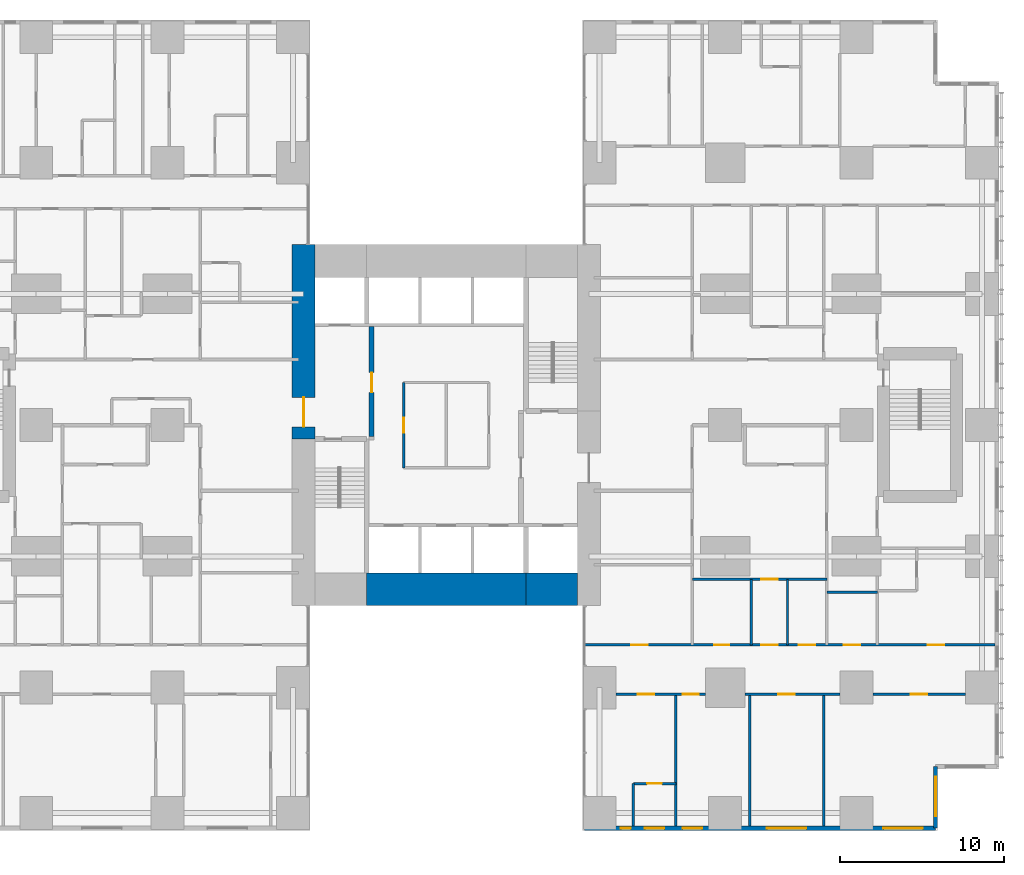
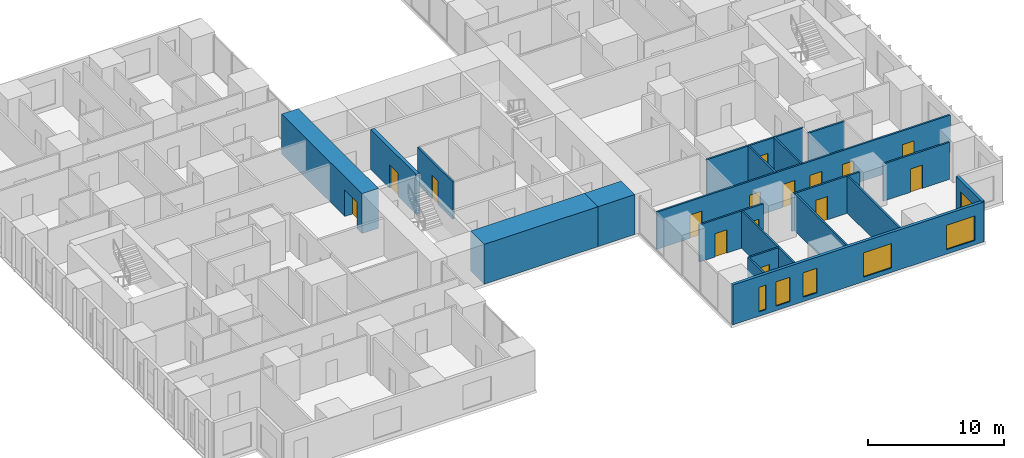
# One storey, part 14 of 20: 20 walls, 15 doors, 6 windows, 21 openings.
"""IFC4 building model written with IfcOpenShell, lengths in metres."""

from ifc_helpers import new_model, si_unit, direction, frame, frame_2d, origin, place, context, subcontext, project, spatial, rectangle, extrude, material, layer, layer_set, type_object, element, fill, save


model = new_model("IFC4")

# Units and contexts
model_context = context("Model", 3, precision=1e-05, world=origin(), true_north=direction((0.0, 1.0)))
body_context = subcontext(model_context, "Body", "Model", "MODEL_VIEW")
ifc_project = project(units=[si_unit("LENGTHUNIT", "METRE"), si_unit("AREAUNIT", "SQUARE_METRE"), si_unit("VOLUMEUNIT", "CUBIC_METRE"), si_unit("PLANEANGLEUNIT", "RADIAN"), si_unit("MASSUNIT", "GRAM", prefix="KILO")], contexts=[model_context])

# Site, building, storey
site_placement = place(None, origin())
site = spatial("IfcSite", under=ifc_project, at=site_placement, CompositionType="ELEMENT")
building_placement = place(site_placement, origin())
building = spatial("IfcBuilding", under=site, at=building_placement, Name="Cleftline Residences", CompositionType="ELEMENT")
storey_placement = place(building_placement, frame((0.0, 0.0, 114.199951171875)))
storey = spatial("IfcBuildingStorey", under=building, at=storey_placement, Name="L29", CompositionType="ELEMENT", Elevation=114.199951171875)

# Wall, opening, door
ifc_material_1 = material(Name="Concrete B70", Category="concrete")
ifc_layer_1 = layer(ifc_material_1, 1.39990234375)
ifc_layer_set_1 = layer_set([ifc_layer_1], Name="CORE WALL 1400")
wall_type_1 = type_object("IfcWallType", Name="CORE WALL 1400", PredefinedType="SHEAR", material=ifc_layer_set_1)
wall_1_placement = place(storey_placement, frame((24.300048828125, 23.14990234375, 0.0), z_axis=(0.0, 0.0, 1.0), x_axis=(0.0, 1.0, 0.0)))
wall_1 = element("IfcWall", 1, at=wall_1_placement, inside=storey, type_object=wall_type_1, Name="Core wall W", PredefinedType="SHEAR", context=body_context, shape_type="SweptSolid", body=[
    extrude(rectangle(XDim=11.85009765625, YDim=1.39990234375, at=frame_2d((5.925048828125, 0.0))), origin(), (0.0, 0.0, 1.0), 3.60009765625),
])
opening_1_placement = place(wall_1_placement, frame((0.75, 0.0, 0.0)))
opening_1 = element("IfcOpeningElement", 2, at=opening_1_placement, cuts=wall_1, Name="Opening D7", PredefinedType="OPENING", context=body_context, shape_type="SweptSolid", body=[
    extrude(rectangle(XDim=1.800048828125, YDim=2.39990234375, at=frame_2d((0.89990234375, 1.199951171875))), frame((0.0, 0.7099609375, 0.0), z_axis=(0.0, -1.0, 0.0), x_axis=(1.0, 0.0, 0.0)), (0.0, 0.0, 1.0), 1.419921875),
])
ifc_material_2 = material(Name="Steel", Category="steel")
door_type_1 = type_object("IfcDoorType", Name="WING DOOR 1800X2400", OperationType="DOUBLE_DOOR_DOUBLE_SWING", PredefinedType="DOOR", material=ifc_material_2)
door_1_placement = place(opening_1_placement, origin())
door_1 = element("IfcDoor", 3, at=door_1_placement, inside=storey, type_object=door_type_1, Name="West wing door", OperationType="DOUBLE_DOOR_DOUBLE_SWING", OverallHeight=2.39990234375, OverallWidth=1.800048828125, PredefinedType="DOOR", context=body_context, shape_type="SweptSolid", body=[
    extrude(rectangle(XDim=1.800048828125, YDim=2.39990234375, at=frame_2d((0.89990234375, 1.199951171875))), frame((0.0, 0.02490234375, 0.0), z_axis=(0.0, -1.0, 0.0), x_axis=(1.0, 0.0, 0.0)), (0.0, 0.0, 1.0), 0.050048828125),
])
fill(opening_1, door_1)

# Walls
ifc_material_3 = material(Name="Concrete B70", Category="concrete")
ifc_layer_2 = layer(ifc_material_3, 2.0)
ifc_layer_set_2 = layer_set([ifc_layer_2], Name="CORE WALL 2000")
wall_type_2 = type_object("IfcWallType", Name="CORE WALL 2000", PredefinedType="SHEAR", material=ifc_layer_set_2)
wall_2_placement = place(storey_placement, frame((28.14990234375, 14.0, 0.0), z_axis=(0.0, 0.0, 1.0), x_axis=(1.0, 0.0, 0.0)))
element("IfcWall", 4, at=wall_2_placement, inside=storey, type_object=wall_type_2, Name="Core wall S2", PredefinedType="SHEAR", context=body_context, shape_type="SweptSolid", body=[
    extrude(rectangle(XDim=9.7001953125, YDim=2.0, at=frame_2d((4.85009765625, 0.0))), origin(), (0.0, 0.0, 1.0), 3.60009765625),
])
wall_3_placement = place(storey_placement, frame((37.85009765625, 14.0, 0.0), z_axis=(0.0, 0.0, 1.0), x_axis=(1.0, 0.0, 0.0)))
element("IfcWall", 5, at=wall_3_placement, inside=storey, type_object=wall_type_2, Name="Core wall S3", PredefinedType="SHEAR", context=body_context, shape_type="SweptSolid", body=[
    extrude(rectangle(XDim=3.14990234375, YDim=2.0, at=frame_2d((1.574951171875, 0.0))), origin(), (0.0, 0.0, 1.0), 3.60009765625),
])

# Wall, openings, windows
ifc_material_4 = material(Name="Rendered reinforced concrete blockwork", Category="masonry")
ifc_layer_3 = layer(ifc_material_4, 0.25)
ifc_layer_set_3 = layer_set([ifc_layer_3], Name="EXTERNAL WALL 250")
wall_type_3 = type_object("IfcWallType", Name="EXTERNAL WALL 250", PredefinedType="SOLIDWALL", material=ifc_layer_set_3)
wall_4_placement = place(storey_placement, frame((41.425048828125, -0.574951171875, 0.0), z_axis=(0.0, 0.0, 1.0), x_axis=(1.0, 0.0, 0.0)))
wall_4 = element("IfcWall", 6, at=wall_4_placement, inside=storey, type_object=wall_type_3, Name="External wall", PredefinedType="SOLIDWALL", context=body_context, shape_type="SweptSolid", body=[
    extrude(rectangle(XDim=21.39990234375, YDim=0.25, at=frame_2d((10.699951171875, 0.0))), origin(), (0.0, 0.0, 1.0), 3.60009765625),
])
opening_2_placement = place(wall_4_placement, frame((2.22509765625, 0.0, 0.39990234375)))
opening_2 = element("IfcOpeningElement", 7, at=opening_2_placement, cuts=wall_4, Name="Opening W10", PredefinedType="OPENING", context=body_context, shape_type="SweptSolid", body=[
    extrude(rectangle(XDim=0.60009765625, YDim=2.199951171875, at=frame_2d((0.300048828125, 1.10009765625))), frame((0.0, 0.135009765625, 0.0), z_axis=(0.0, -1.0, 0.0), x_axis=(1.0, 0.0, 0.0)), (0.0, 0.0, 1.0), 0.27001953125),
])
opening_3_placement = place(wall_4_placement, frame((3.675048828125, 0.0, 0.39990234375)))
opening_3 = element("IfcOpeningElement", 8, at=opening_3_placement, cuts=wall_4, Name="Opening W11", PredefinedType="OPENING", context=body_context, shape_type="SweptSolid", body=[
    extrude(rectangle(XDim=1.199951171875, YDim=2.199951171875, at=frame_2d((0.60009765625, 1.10009765625))), frame((0.0, 0.135009765625, 0.0), z_axis=(0.0, -1.0, 0.0), x_axis=(1.0, 0.0, 0.0)), (0.0, 0.0, 1.0), 0.27001953125),
])
opening_4_placement = place(wall_4_placement, frame((5.97509765625, 0.0, 0.39990234375)))
opening_4 = element("IfcOpeningElement", 9, at=opening_4_placement, cuts=wall_4, Name="Opening W11", PredefinedType="OPENING", context=body_context, shape_type="SweptSolid", body=[
    extrude(rectangle(XDim=1.199951171875, YDim=2.199951171875, at=frame_2d((0.60009765625, 1.10009765625))), frame((0.0, 0.135009765625, 0.0), z_axis=(0.0, -1.0, 0.0), x_axis=(1.0, 0.0, 0.0)), (0.0, 0.0, 1.0), 0.27001953125),
])
opening_5_placement = place(wall_4_placement, frame((11.125, 0.0, 0.39990234375)))
opening_5 = element("IfcOpeningElement", 10, at=opening_5_placement, cuts=wall_4, Name="Opening W12", PredefinedType="OPENING", context=body_context, shape_type="SweptSolid", body=[
    extrude(rectangle(XDim=2.39990234375, YDim=2.199951171875, at=frame_2d((1.199951171875, 1.10009765625))), frame((0.0, 0.135009765625, 0.0), z_axis=(0.0, -1.0, 0.0), x_axis=(1.0, 0.0, 0.0)), (0.0, 0.0, 1.0), 0.27001953125),
])
opening_6_placement = place(wall_4_placement, frame((18.22509765625, 0.0, 0.39990234375)))
opening_6 = element("IfcOpeningElement", 11, at=opening_6_placement, cuts=wall_4, Name="Opening W12", PredefinedType="OPENING", context=body_context, shape_type="SweptSolid", body=[
    extrude(rectangle(XDim=2.39990234375, YDim=2.199951171875, at=frame_2d((1.199951171875, 1.10009765625))), frame((0.0, 0.135009765625, 0.0), z_axis=(0.0, -1.0, 0.0), x_axis=(1.0, 0.0, 0.0)), (0.0, 0.0, 1.0), 0.27001953125),
])
ifc_material_5 = material(Name="Aluminium frame, clear double glazing", Category="aluminium")
window_type_1 = type_object("IfcWindowType", Name="WINDOW 1200X2200", PartitioningType="DOUBLE_PANEL_VERTICAL", PredefinedType="WINDOW", material=ifc_material_5)
window_1_placement = place(opening_3_placement, origin())
window_1 = element("IfcWindow", 12, at=window_1_placement, inside=storey, type_object=window_type_1, Name="Window", OverallHeight=2.199951171875, OverallWidth=1.199951171875, PartitioningType="SINGLE_PANEL", PredefinedType="WINDOW", context=body_context, shape_type="SweptSolid", body=[
    extrude(rectangle(XDim=1.199951171875, YDim=2.199951171875, at=frame_2d((0.60009765625, 1.10009765625))), frame((0.0, 0.030029296875, 0.0), z_axis=(0.0, -1.0, 0.0), x_axis=(1.0, 0.0, 0.0)), (0.0, 0.0, 1.0), 0.06005859375),
])
fill(opening_3, window_1)
window_2_placement = place(opening_4_placement, origin())
window_2 = element("IfcWindow", 13, at=window_2_placement, inside=storey, type_object=window_type_1, Name="Window", OverallHeight=2.199951171875, OverallWidth=1.199951171875, PartitioningType="SINGLE_PANEL", PredefinedType="WINDOW", context=body_context, shape_type="SweptSolid", body=[
    extrude(rectangle(XDim=1.199951171875, YDim=2.199951171875, at=frame_2d((0.60009765625, 1.10009765625))), frame((0.0, 0.030029296875, 0.0), z_axis=(0.0, -1.0, 0.0), x_axis=(1.0, 0.0, 0.0)), (0.0, 0.0, 1.0), 0.06005859375),
])
fill(opening_4, window_2)
ifc_material_6 = material(Name="Aluminium frame, clear double glazing", Category="aluminium")
window_type_2 = type_object("IfcWindowType", Name="WINDOW 2400X2200", PartitioningType="DOUBLE_PANEL_VERTICAL", PredefinedType="WINDOW", material=ifc_material_6)
window_3_placement = place(opening_5_placement, origin())
window_3 = element("IfcWindow", 14, at=window_3_placement, inside=storey, type_object=window_type_2, Name="Window", OverallHeight=2.199951171875, OverallWidth=2.39990234375, PartitioningType="SINGLE_PANEL", PredefinedType="WINDOW", context=body_context, shape_type="SweptSolid", body=[
    extrude(rectangle(XDim=2.39990234375, YDim=2.199951171875, at=frame_2d((1.199951171875, 1.10009765625))), frame((0.0, 0.030029296875, 0.0), z_axis=(0.0, -1.0, 0.0), x_axis=(1.0, 0.0, 0.0)), (0.0, 0.0, 1.0), 0.06005859375),
])
fill(opening_5, window_3)
window_4_placement = place(opening_6_placement, origin())
window_4 = element("IfcWindow", 15, at=window_4_placement, inside=storey, type_object=window_type_2, Name="Window", OverallHeight=2.199951171875, OverallWidth=2.39990234375, PartitioningType="SINGLE_PANEL", PredefinedType="WINDOW", context=body_context, shape_type="SweptSolid", body=[
    extrude(rectangle(XDim=2.39990234375, YDim=2.199951171875, at=frame_2d((1.199951171875, 1.10009765625))), frame((0.0, 0.030029296875, 0.0), z_axis=(0.0, -1.0, 0.0), x_axis=(1.0, 0.0, 0.0)), (0.0, 0.0, 1.0), 0.06005859375),
])
fill(opening_6, window_4)
ifc_material_7 = material(Name="Aluminium frame, clear double glazing", Category="aluminium")
window_type_3 = type_object("IfcWindowType", Name="WINDOW 600X2200", PartitioningType="DOUBLE_PANEL_VERTICAL", PredefinedType="WINDOW", material=ifc_material_7)
window_5_placement = place(opening_2_placement, origin())
window_5 = element("IfcWindow", 16, at=window_5_placement, inside=storey, type_object=window_type_3, Name="Window", OverallHeight=2.199951171875, OverallWidth=0.60009765625, PartitioningType="SINGLE_PANEL", PredefinedType="WINDOW", context=body_context, shape_type="SweptSolid", body=[
    extrude(rectangle(XDim=0.60009765625, YDim=2.199951171875, at=frame_2d((0.300048828125, 1.10009765625))), frame((0.0, 0.030029296875, 0.0), z_axis=(0.0, -1.0, 0.0), x_axis=(1.0, 0.0, 0.0)), (0.0, 0.0, 1.0), 0.06005859375),
])
fill(opening_2, window_5)

# Wall, opening, window
wall_5_placement = place(storey_placement, frame((62.824951171875, -0.574951171875, 0.0), z_axis=(0.0, 0.0, 1.0), x_axis=(0.0, 1.0, 0.0)))
wall_5 = element("IfcWall", 17, at=wall_5_placement, inside=storey, type_object=wall_type_3, Name="External wall", PredefinedType="SOLIDWALL", context=body_context, shape_type="SweptSolid", body=[
    extrude(rectangle(XDim=3.75, YDim=0.25, at=frame_2d((1.875, 0.0))), origin(), (0.0, 0.0, 1.0), 3.60009765625),
])
opening_7_placement = place(wall_5_placement, frame((0.737548828125, 0.0, 0.39990234375)))
opening_7 = element("IfcOpeningElement", 18, at=opening_7_placement, cuts=wall_5, Name="Opening W12", PredefinedType="OPENING", context=body_context, shape_type="SweptSolid", body=[
    extrude(rectangle(XDim=2.39990234375, YDim=2.199951171875, at=frame_2d((1.199951171875, 1.10009765625))), frame((0.0, 0.135009765625, 0.0), z_axis=(0.0, -1.0, 0.0), x_axis=(1.0, 0.0, 0.0)), (0.0, 0.0, 1.0), 0.27001953125),
])
window_6_placement = place(opening_7_placement, origin())
window_6 = element("IfcWindow", 19, at=window_6_placement, inside=storey, type_object=window_type_2, Name="Window", OverallHeight=2.199951171875, OverallWidth=2.39990234375, PartitioningType="SINGLE_PANEL", PredefinedType="WINDOW", context=body_context, shape_type="SweptSolid", body=[
    extrude(rectangle(XDim=2.39990234375, YDim=2.199951171875, at=frame_2d((1.199951171875, 1.10009765625))), frame((0.0, 0.030029296875, 0.0), z_axis=(0.0, -1.0, 0.0), x_axis=(1.0, 0.0, 0.0)), (0.0, 0.0, 1.0), 0.06005859375),
])
fill(opening_7, window_6)

# Wall, opening, door
ifc_material_8 = material(Name="Gypsum board on steel studs", Category="steel")
ifc_layer_4 = layer(ifc_material_8, 0.14990234375)
ifc_layer_set_4 = layer_set([ifc_layer_4], Name="PARTITION 150")
wall_type_4 = type_object("IfcWallType", Name="PARTITION 150", PredefinedType="PARTITIONING", material=ifc_layer_set_4)
wall_6_placement = place(storey_placement, frame((44.39990234375, 2.14990234375, 0.0), z_axis=(0.0, 0.0, 1.0), x_axis=(1.0, 0.0, 0.0)))
wall_6 = element("IfcWall", 20, at=wall_6_placement, inside=storey, type_object=wall_type_4, Name="Partition", PredefinedType="PARTITIONING", context=body_context, shape_type="SweptSolid", body=[
    extrude(rectangle(XDim=2.60009765625, YDim=0.14990234375, at=frame_2d((1.300048828125, 0.0))), origin(), (0.0, 0.0, 1.0), 3.35009765625),
])
opening_8_placement = place(wall_6_placement, frame((0.85009765625, 0.0, 0.0)))
opening_8 = element("IfcOpeningElement", 21, at=opening_8_placement, cuts=wall_6, Name="Opening D1", PredefinedType="OPENING", context=body_context, shape_type="SweptSolid", body=[
    extrude(rectangle(XDim=0.89990234375, YDim=2.10009765625, at=frame_2d((0.449951171875, 1.050048828125))), frame((0.0, 0.0849609375, 0.0), z_axis=(0.0, -1.0, 0.0), x_axis=(1.0, 0.0, 0.0)), (0.0, 0.0, 1.0), 0.169921875),
])
ifc_material_9 = material(Name="Timber veneer on solid core", Category="wood")
door_type_2 = type_object("IfcDoorType", Name="DOOR 900X2100", OperationType="SINGLE_SWING_LEFT", PredefinedType="DOOR", material=ifc_material_9)
door_2_placement = place(opening_8_placement, origin())
door_2 = element("IfcDoor", 22, at=door_2_placement, inside=storey, type_object=door_type_2, Name="Door to en-suite bathroom 3", OperationType="SINGLE_SWING_LEFT", OverallHeight=2.10009765625, OverallWidth=0.89990234375, PredefinedType="DOOR", context=body_context, shape_type="SweptSolid", body=[
    extrude(rectangle(XDim=0.89990234375, YDim=2.10009765625, at=frame_2d((0.449951171875, 1.050048828125))), frame((0.0, 0.02490234375, 0.0), z_axis=(0.0, -1.0, 0.0), x_axis=(1.0, 0.0, 0.0)), (0.0, 0.0, 1.0), 0.050048828125),
])
fill(opening_8, door_2)

# Wall, openings, doors
wall_7_placement = place(storey_placement, frame((43.35009765625, 7.60009765625, 0.0), z_axis=(0.0, 0.0, 1.0), x_axis=(1.0, 0.0, 0.0)))
wall_7 = element("IfcWall", 23, at=wall_7_placement, inside=storey, type_object=wall_type_4, Name="Partition", PredefinedType="PARTITIONING", context=body_context, shape_type="SweptSolid", body=[
    extrude(rectangle(XDim=5.449951171875, YDim=0.14990234375, at=frame_2d((2.72509765625, 0.0))), origin(), (0.0, 0.0, 1.0), 3.35009765625),
])
opening_9_placement = place(wall_7_placement, frame((4.050048828125, 0.0, 0.0)))
opening_9 = element("IfcOpeningElement", 24, at=opening_9_placement, cuts=wall_7, Name="Opening D2", PredefinedType="OPENING", context=body_context, shape_type="SweptSolid", body=[
    extrude(rectangle(XDim=1.0, YDim=2.10009765625, at=frame_2d((0.5, 1.050048828125))), frame((0.0, 0.0849609375, 0.0), z_axis=(0.0, -1.0, 0.0), x_axis=(1.0, 0.0, 0.0)), (0.0, 0.0, 1.0), 0.169921875),
])
opening_10_placement = place(wall_7_placement, frame((1.324951171875, 0.0, 0.0)))
opening_10 = element("IfcOpeningElement", 25, at=opening_10_placement, cuts=wall_7, Name="Opening D2", PredefinedType="OPENING", context=body_context, shape_type="SweptSolid", body=[
    extrude(rectangle(XDim=1.0, YDim=2.10009765625, at=frame_2d((0.5, 1.050048828125))), frame((0.0, 0.0849609375, 0.0), z_axis=(0.0, -1.0, 0.0), x_axis=(1.0, 0.0, 0.0)), (0.0, 0.0, 1.0), 0.169921875),
])
ifc_material_10 = material(Name="Timber veneer on solid core", Category="wood")
door_type_3 = type_object("IfcDoorType", Name="DOOR 1000X2100", OperationType="SINGLE_SWING_LEFT", PredefinedType="DOOR", material=ifc_material_10)
door_3_placement = place(opening_9_placement, origin())
door_3 = element("IfcDoor", 26, at=door_3_placement, inside=storey, type_object=door_type_3, Name="Door to show kitchen", OperationType="SINGLE_SWING_LEFT", OverallHeight=2.10009765625, OverallWidth=1.0, PredefinedType="DOOR", context=body_context, shape_type="SweptSolid", body=[
    extrude(rectangle(XDim=1.0, YDim=2.10009765625, at=frame_2d((0.5, 1.050048828125))), frame((0.0, 0.02490234375, 0.0), z_axis=(0.0, -1.0, 0.0), x_axis=(1.0, 0.0, 0.0)), (0.0, 0.0, 1.0), 0.050048828125),
])
fill(opening_9, door_3)
door_4_placement = place(opening_10_placement, origin())
door_4 = element("IfcDoor", 27, at=door_4_placement, inside=storey, type_object=door_type_3, Name="Door to bedroom 3", OperationType="SINGLE_SWING_RIGHT", OverallHeight=2.10009765625, OverallWidth=1.0, PredefinedType="DOOR", context=body_context, shape_type="SweptSolid", body=[
    extrude(rectangle(XDim=1.0, YDim=2.10009765625, at=frame_2d((0.5, 1.050048828125))), frame((0.0, 0.02490234375, 0.0), z_axis=(0.0, -1.0, 0.0), x_axis=(1.0, 0.0, 0.0)), (0.0, 0.0, 1.0), 0.050048828125),
])
fill(opening_10, door_4)

# Wall, opening, door
wall_8_placement = place(storey_placement, frame((51.199951171875, 7.60009765625, 0.0), z_axis=(0.0, 0.0, 1.0), x_axis=(1.0, 0.0, 0.0)))
wall_8 = element("IfcWall", 28, at=wall_8_placement, inside=storey, type_object=wall_type_4, Name="Partition", PredefinedType="PARTITIONING", context=body_context, shape_type="SweptSolid", body=[
    extrude(rectangle(XDim=5.800048828125, YDim=0.14990234375, at=frame_2d((2.89990234375, 0.0))), origin(), (0.0, 0.0, 1.0), 3.35009765625),
])
opening_11_placement = place(wall_8_placement, frame((2.050048828125, 0.0, 0.0)))
opening_11 = element("IfcOpeningElement", 29, at=opening_11_placement, cuts=wall_8, Name="Opening D2", PredefinedType="OPENING", context=body_context, shape_type="SweptSolid", body=[
    extrude(rectangle(XDim=1.0, YDim=2.10009765625, at=frame_2d((0.5, 1.050048828125))), frame((0.0, 0.0849609375, 0.0), z_axis=(0.0, -1.0, 0.0), x_axis=(1.0, 0.0, 0.0)), (0.0, 0.0, 1.0), 0.169921875),
])
door_5_placement = place(opening_11_placement, origin())
door_5 = element("IfcDoor", 30, at=door_5_placement, inside=storey, type_object=door_type_3, Name="Door to dining room", OperationType="SINGLE_SWING_RIGHT", OverallHeight=2.10009765625, OverallWidth=1.0, PredefinedType="DOOR", context=body_context, shape_type="SweptSolid", body=[
    extrude(rectangle(XDim=1.0, YDim=2.10009765625, at=frame_2d((0.5, 1.050048828125))), frame((0.0, 0.02490234375, 0.0), z_axis=(0.0, -1.0, 0.0), x_axis=(1.0, 0.0, 0.0)), (0.0, 0.0, 1.0), 0.050048828125),
])
fill(opening_11, door_5)

wall_9_placement = place(storey_placement, frame((59.0, 7.60009765625, 0.0), z_axis=(0.0, 0.0, 1.0), x_axis=(1.0, 0.0, 0.0)))
wall_9 = element("IfcWall", 31, at=wall_9_placement, inside=storey, type_object=wall_type_4, Name="Partition", PredefinedType="PARTITIONING", context=body_context, shape_type="SweptSolid", body=[
    extrude(rectangle(XDim=5.64990234375, YDim=0.14990234375, at=frame_2d((2.824951171875, 0.0))), origin(), (0.0, 0.0, 1.0), 3.35009765625),
])
opening_12_placement = place(wall_9_placement, frame((2.324951171875, 0.0, 0.0)))
opening_12 = element("IfcOpeningElement", 32, at=opening_12_placement, cuts=wall_9, Name="Opening D2", PredefinedType="OPENING", context=body_context, shape_type="SweptSolid", body=[
    extrude(rectangle(XDim=1.0, YDim=2.10009765625, at=frame_2d((0.5, 1.050048828125))), frame((0.0, 0.0849609375, 0.0), z_axis=(0.0, -1.0, 0.0), x_axis=(1.0, 0.0, 0.0)), (0.0, 0.0, 1.0), 0.169921875),
])
door_6_placement = place(opening_12_placement, origin())
door_6 = element("IfcDoor", 33, at=door_6_placement, inside=storey, type_object=door_type_3, Name="Door to sea-view lounge", OperationType="SINGLE_SWING_LEFT", OverallHeight=2.10009765625, OverallWidth=1.0, PredefinedType="DOOR", context=body_context, shape_type="SweptSolid", body=[
    extrude(rectangle(XDim=1.0, YDim=2.10009765625, at=frame_2d((0.5, 1.050048828125))), frame((0.0, 0.02490234375, 0.0), z_axis=(0.0, -1.0, 0.0), x_axis=(1.0, 0.0, 0.0)), (0.0, 0.0, 1.0), 0.050048828125),
])
fill(opening_12, door_6)

# Wall, openings, doors
wall_10_placement = place(storey_placement, frame((41.43896484375, 10.60009765625, 0.0), z_axis=(0.0, 0.0, 1.0), x_axis=(1.0, 0.0, 0.0)))
wall_10 = element("IfcWall", 34, at=wall_10_placement, inside=storey, type_object=wall_type_4, Name="Partition", PredefinedType="PARTITIONING", context=body_context, shape_type="SweptSolid", body=[
    extrude(rectangle(XDim=25.010986328125, YDim=0.14990234375, at=frame_2d((12.50537109375, 0.0))), origin(), (0.0, 0.0, 1.0), 3.35009765625),
])
opening_13_placement = place(wall_10_placement, frame((10.760986328125, 0.0, 0.0)))
opening_13 = element("IfcOpeningElement", 35, at=opening_13_placement, cuts=wall_10, Name="Opening D2", PredefinedType="OPENING", context=body_context, shape_type="SweptSolid", body=[
    extrude(rectangle(XDim=1.0, YDim=2.10009765625, at=frame_2d((0.5, 1.050048828125))), frame((0.0, 0.0849609375, 0.0), z_axis=(0.0, -1.0, 0.0), x_axis=(1.0, 0.0, 0.0)), (0.0, 0.0, 1.0), 0.169921875),
])
opening_14_placement = place(wall_10_placement, frame((20.923583984375, 0.0, 0.0)))
opening_14 = element("IfcOpeningElement", 36, at=opening_14_placement, cuts=wall_10, Name="Opening D2", PredefinedType="OPENING", context=body_context, shape_type="SweptSolid", body=[
    extrude(rectangle(XDim=1.0, YDim=2.10009765625, at=frame_2d((0.5, 1.050048828125))), frame((0.0, 0.0849609375, 0.0), z_axis=(0.0, -1.0, 0.0), x_axis=(1.0, 0.0, 0.0)), (0.0, 0.0, 1.0), 0.169921875),
])
opening_15_placement = place(wall_10_placement, frame((15.798583984375, 0.0, 0.0)))
opening_15 = element("IfcOpeningElement", 37, at=opening_15_placement, cuts=wall_10, Name="Opening D2", PredefinedType="OPENING", context=body_context, shape_type="SweptSolid", body=[
    extrude(rectangle(XDim=1.0, YDim=2.10009765625, at=frame_2d((0.5, 1.050048828125))), frame((0.0, 0.0849609375, 0.0), z_axis=(0.0, -1.0, 0.0), x_axis=(1.0, 0.0, 0.0)), (0.0, 0.0, 1.0), 0.169921875),
])
opening_16_placement = place(wall_10_placement, frame((13.06103515625, 0.0, 0.0)))
opening_16 = element("IfcOpeningElement", 38, at=opening_16_placement, cuts=wall_10, Name="Opening D2", PredefinedType="OPENING", context=body_context, shape_type="SweptSolid", body=[
    extrude(rectangle(XDim=1.0, YDim=2.10009765625, at=frame_2d((0.5, 1.050048828125))), frame((0.0, 0.0849609375, 0.0), z_axis=(0.0, -1.0, 0.0), x_axis=(1.0, 0.0, 0.0)), (0.0, 0.0, 1.0), 0.169921875),
])
opening_17_placement = place(wall_10_placement, frame((7.910888671875, 0.0, 0.0)))
opening_17 = element("IfcOpeningElement", 39, at=opening_17_placement, cuts=wall_10, Name="Opening D1", PredefinedType="OPENING", context=body_context, shape_type="SweptSolid", body=[
    extrude(rectangle(XDim=0.89990234375, YDim=2.10009765625, at=frame_2d((0.449951171875, 1.050048828125))), frame((0.0, 0.0849609375, 0.0), z_axis=(0.0, -1.0, 0.0), x_axis=(1.0, 0.0, 0.0)), (0.0, 0.0, 1.0), 0.169921875),
])
opening_18_placement = place(wall_10_placement, frame((2.8359375, 0.0, 0.0)))
opening_18 = element("IfcOpeningElement", 40, at=opening_18_placement, cuts=wall_10, Name="Opening D2", PredefinedType="OPENING", context=body_context, shape_type="SweptSolid", body=[
    extrude(rectangle(XDim=1.0, YDim=2.10009765625, at=frame_2d((0.5, 1.050048828125))), frame((0.0, 0.0849609375, 0.0), z_axis=(0.0, -1.0, 0.0), x_axis=(1.0, 0.0, 0.0)), (0.0, 0.0, 1.0), 0.169921875),
])
door_7_placement = place(opening_13_placement, origin())
door_7 = element("IfcDoor", 41, at=door_7_placement, inside=storey, type_object=door_type_3, Name="Door to residence hall", OperationType="SINGLE_SWING_RIGHT", OverallHeight=2.10009765625, OverallWidth=1.0, PredefinedType="DOOR", context=body_context, shape_type="SweptSolid", body=[
    extrude(rectangle(XDim=1.0, YDim=2.10009765625, at=frame_2d((0.5, 1.050048828125))), frame((0.0, 0.02490234375, 0.0), z_axis=(0.0, -1.0, 0.0), x_axis=(1.0, 0.0, 0.0)), (0.0, 0.0, 1.0), 0.050048828125),
])
fill(opening_13, door_7)
door_8_placement = place(opening_14_placement, origin())
door_8 = element("IfcDoor", 42, at=door_8_placement, inside=storey, type_object=door_type_3, Name="Door to master bedroom", OperationType="SINGLE_SWING_LEFT", OverallHeight=2.10009765625, OverallWidth=1.0, PredefinedType="DOOR", context=body_context, shape_type="SweptSolid", body=[
    extrude(rectangle(XDim=1.0, YDim=2.10009765625, at=frame_2d((0.5, 1.050048828125))), frame((0.0, 0.02490234375, 0.0), z_axis=(0.0, -1.0, 0.0), x_axis=(1.0, 0.0, 0.0)), (0.0, 0.0, 1.0), 0.050048828125),
])
fill(opening_14, door_8)
door_9_placement = place(opening_15_placement, origin())
door_9 = element("IfcDoor", 43, at=door_9_placement, inside=storey, type_object=door_type_3, Name="Door to wet kitchen", OperationType="SINGLE_SWING_LEFT", OverallHeight=2.10009765625, OverallWidth=1.0, PredefinedType="DOOR", context=body_context, shape_type="SweptSolid", body=[
    extrude(rectangle(XDim=1.0, YDim=2.10009765625, at=frame_2d((0.5, 1.050048828125))), frame((0.0, 0.02490234375, 0.0), z_axis=(0.0, -1.0, 0.0), x_axis=(1.0, 0.0, 0.0)), (0.0, 0.0, 1.0), 0.050048828125),
])
fill(opening_15, door_9)
door_10_placement = place(opening_16_placement, origin())
door_10 = element("IfcDoor", 44, at=door_10_placement, inside=storey, type_object=door_type_3, Name="Door to media room", OperationType="SINGLE_SWING_LEFT", OverallHeight=2.10009765625, OverallWidth=1.0, PredefinedType="DOOR", context=body_context, shape_type="SweptSolid", body=[
    extrude(rectangle(XDim=1.0, YDim=2.10009765625, at=frame_2d((0.5, 1.050048828125))), frame((0.0, 0.02490234375, 0.0), z_axis=(0.0, -1.0, 0.0), x_axis=(1.0, 0.0, 0.0)), (0.0, 0.0, 1.0), 0.050048828125),
])
fill(opening_16, door_10)
door_11_placement = place(opening_18_placement, origin())
door_11 = element("IfcDoor", 45, at=door_11_placement, inside=storey, type_object=door_type_3, Name="Door to study", OperationType="SINGLE_SWING_RIGHT", OverallHeight=2.10009765625, OverallWidth=1.0, PredefinedType="DOOR", context=body_context, shape_type="SweptSolid", body=[
    extrude(rectangle(XDim=1.0, YDim=2.10009765625, at=frame_2d((0.5, 1.050048828125))), frame((0.0, 0.02490234375, 0.0), z_axis=(0.0, -1.0, 0.0), x_axis=(1.0, 0.0, 0.0)), (0.0, 0.0, 1.0), 0.050048828125),
])
fill(opening_18, door_11)
door_12_placement = place(opening_17_placement, origin())
door_12 = element("IfcDoor", 46, at=door_12_placement, inside=storey, type_object=door_type_2, Name="Door to bedroom 2 bathroom", OperationType="SINGLE_SWING_RIGHT", OverallHeight=2.10009765625, OverallWidth=0.89990234375, PredefinedType="DOOR", context=body_context, shape_type="SweptSolid", body=[
    extrude(rectangle(XDim=0.89990234375, YDim=2.10009765625, at=frame_2d((0.449951171875, 1.050048828125))), frame((0.0, 0.02490234375, 0.0), z_axis=(0.0, -1.0, 0.0), x_axis=(1.0, 0.0, 0.0)), (0.0, 0.0, 1.0), 0.050048828125),
])
fill(opening_17, door_12)

# Wall
wall_11_placement = place(storey_placement, frame((56.199951171875, 13.800048828125, 0.0), z_axis=(0.0, 0.0, 1.0), x_axis=(1.0, 0.0, 0.0)))
element("IfcWall", 47, at=wall_11_placement, inside=storey, type_object=wall_type_4, Name="Partition", PredefinedType="PARTITIONING", context=body_context, shape_type="SweptSolid", body=[
    extrude(rectangle(XDim=3.074951171875, YDim=0.14990234375, at=frame_2d((1.53759765625, 0.0))), origin(), (0.0, 0.0, 1.0), 3.35009765625),
])

# Wall, opening, door
wall_12_placement = place(storey_placement, frame((48.0, 14.60009765625, 0.0), z_axis=(0.0, 0.0, 1.0), x_axis=(1.0, 0.0, 0.0)))
wall_12 = element("IfcWall", 48, at=wall_12_placement, inside=storey, type_object=wall_type_4, Name="Partition", PredefinedType="PARTITIONING", context=body_context, shape_type="SweptSolid", body=[
    extrude(rectangle(XDim=8.199951171875, YDim=0.14990234375, at=frame_2d((4.10009765625, 0.0))), origin(), (0.0, 0.0, 1.0), 3.35009765625),
])
opening_19_placement = place(wall_12_placement, frame((4.199951171875, 0.0, 0.0)))
opening_19 = element("IfcOpeningElement", 49, at=opening_19_placement, cuts=wall_12, Name="Opening D2", PredefinedType="OPENING", context=body_context, shape_type="SweptSolid", body=[
    extrude(rectangle(XDim=1.0, YDim=2.10009765625, at=frame_2d((0.5, 1.050048828125))), frame((0.0, 0.0849609375, 0.0), z_axis=(0.0, -1.0, 0.0), x_axis=(1.0, 0.0, 0.0)), (0.0, 0.0, 1.0), 0.169921875),
])
door_13_placement = place(opening_19_placement, origin())
door_13 = element("IfcDoor", 50, at=door_13_placement, inside=storey, type_object=door_type_3, Name="Door to residence passage", OperationType="SINGLE_SWING_LEFT", OverallHeight=2.10009765625, OverallWidth=1.0, PredefinedType="DOOR", context=body_context, shape_type="SweptSolid", body=[
    extrude(rectangle(XDim=1.0, YDim=2.10009765625, at=frame_2d((0.5, 1.050048828125))), frame((0.0, 0.02490234375, 0.0), z_axis=(0.0, -1.0, 0.0), x_axis=(1.0, 0.0, 0.0)), (0.0, 0.0, 1.0), 0.050048828125),
])
fill(opening_19, door_13)

# Walls
wall_13_placement = place(storey_placement, frame((44.39990234375, -0.449951171875, 0.0), z_axis=(0.0, 0.0, 1.0), x_axis=(0.0, 1.0, 0.0)))
element("IfcWall", 51, at=wall_13_placement, inside=storey, type_object=wall_type_4, Name="Partition", PredefinedType="PARTITIONING", context=body_context, shape_type="SweptSolid", body=[
    extrude(rectangle(XDim=2.599853515625, YDim=0.14990234375, at=frame_2d((1.2998046875, 0.0))), origin(), (0.0, 0.0, 1.0), 3.35009765625),
])
for number, where, z_axis, x_axis, name in (
    (52, (47.0, -0.449951171875, 0.0), (0.0, 0.0, 1.0), (0.0, 1.0, 0.0), "Partition"),
    (53, (51.5, -0.449951171875, 0.0), (0.0, 0.0, 1.0), (0.0, 1.0, 0.0), "Partition"),
):
    element("IfcWall", number, at=place(storey_placement, frame(where, z_axis=z_axis, x_axis=x_axis)), inside=storey, type_object=wall_type_4, Name=name, PredefinedType="PARTITIONING", context=body_context, shape_type="SweptSolid", body=[
        extrude(rectangle(XDim=8.050048828125, YDim=0.14990234375, at=frame_2d((4.02490234375, 0.0))), origin(), (0.0, 0.0, 1.0), 3.35009765625),
    ])
for number, where, z_axis, x_axis, name in (
    (54, (51.60009765625, 10.60009765625, 0.0), (0.0, 0.0, 1.0), (0.0, 1.0, 0.0), "Partition"),
    (55, (53.800048828125, 10.60009765625, 0.0), (0.0, 0.0, 1.0), (0.0, 1.0, 0.0), "Partition"),
):
    element("IfcWall", number, at=place(storey_placement, frame(where, z_axis=z_axis, x_axis=x_axis)), inside=storey, type_object=wall_type_4, Name=name, PredefinedType="PARTITIONING", context=body_context, shape_type="SweptSolid", body=[
        extrude(rectangle(XDim=4.0, YDim=0.14990234375, at=frame_2d((2.0, 0.0))), origin(), (0.0, 0.0, 1.0), 3.35009765625),
    ])
wall_14_placement = place(storey_placement, frame((56.0, -0.449951171875, 0.0), z_axis=(0.0, 0.0, 1.0), x_axis=(0.0, 1.0, 0.0)))
element("IfcWall", 56, at=wall_14_placement, inside=storey, type_object=wall_type_4, Name="Partition", PredefinedType="PARTITIONING", context=body_context, shape_type="SweptSolid", body=[
    extrude(rectangle(XDim=8.050048828125, YDim=0.14990234375, at=frame_2d((4.02490234375, 0.0))), origin(), (0.0, 0.0, 1.0), 3.35009765625),
])

# Wall, opening, door
ifc_material_11 = material(Name="Fire-resisting gypsum board on steel studs", Category="steel")
ifc_layer_5 = layer(ifc_material_11, 0.14990234375)
ifc_layer_set_5 = layer_set([ifc_layer_5], Name="PARTITION 150 EI 60")
wall_type_5 = type_object("IfcWallType", Name="PARTITION 150 EI 60", PredefinedType="PARTITIONING", material=ifc_layer_set_5)
wall_15_placement = place(storey_placement, frame((30.39990234375, 21.39990234375, 0.0), z_axis=(0.0, 0.0, 1.0), x_axis=(0.0, 1.0, 0.0)))
wall_15 = element("IfcWall", 57, at=wall_15_placement, inside=storey, type_object=wall_type_5, Name="Core room partition", PredefinedType="PARTITIONING", context=body_context, shape_type="SweptSolid", body=[
    extrude(rectangle(XDim=5.2001953125, YDim=0.14990234375, at=frame_2d((2.60009765625, 0.0))), origin(), (0.0, 0.0, 1.0), 3.35009765625),
])
opening_20_placement = place(wall_15_placement, frame((2.14990234375, 0.0, 0.0)))
opening_20 = element("IfcOpeningElement", 58, at=opening_20_placement, cuts=wall_15, Name="Opening D1F30", PredefinedType="OPENING", context=body_context, shape_type="SweptSolid", body=[
    extrude(rectangle(XDim=0.89990234375, YDim=2.10009765625, at=frame_2d((0.449951171875, 1.050048828125))), frame((0.0, 0.0849609375, 0.0), z_axis=(0.0, -1.0, 0.0), x_axis=(1.0, 0.0, 0.0)), (0.0, 0.0, 1.0), 0.169921875),
])
ifc_material_12 = material(Name="Timber veneer on solid core", Category="wood")
door_type_4 = type_object("IfcDoorType", Name="DOOR 900X2100 EI 30", OperationType="SINGLE_SWING_LEFT", PredefinedType="DOOR", material=ifc_material_12)
door_14_placement = place(opening_20_placement, origin())
door_14 = element("IfcDoor", 59, at=door_14_placement, inside=storey, type_object=door_type_4, Name="Door to guest pantry", OperationType="SINGLE_SWING_LEFT", OverallHeight=2.10009765625, OverallWidth=0.89990234375, PredefinedType="DOOR", context=body_context, shape_type="SweptSolid", body=[
    extrude(rectangle(XDim=0.89990234375, YDim=2.10009765625, at=frame_2d((0.449951171875, 1.050048828125))), frame((0.0, 0.02490234375, 0.0), z_axis=(0.0, -1.0, 0.0), x_axis=(1.0, 0.0, 0.0)), (0.0, 0.0, 1.0), 0.050048828125),
])
fill(opening_20, door_14)

ifc_material_13 = material(Name="Concrete blockwork, fire rated", Category="masonry")
ifc_layer_6 = layer(ifc_material_13, 0.300048828125)
ifc_layer_set_6 = layer_set([ifc_layer_6], Name="STAIR LOBBY WALL 300")
wall_type_6 = type_object("IfcWallType", Name="STAIR LOBBY WALL 300", PredefinedType="PARTITIONING", material=ifc_layer_set_6)
wall_16_placement = place(storey_placement, frame((28.449951171875, 23.300048828125, 0.0), z_axis=(0.0, 0.0, 1.0), x_axis=(0.0, 1.0, 0.0)))
wall_16 = element("IfcWall", 60, at=wall_16_placement, inside=storey, type_object=wall_type_6, Name="Stair and lobby wall FA-E", PredefinedType="PARTITIONING", context=body_context, shape_type="SweptSolid", body=[
    extrude(rectangle(XDim=6.699951171875, YDim=0.300048828125, at=frame_2d((3.35009765625, 0.0))), origin(), (0.0, 0.0, 1.0), 3.60009765625),
])
opening_21_placement = place(wall_16_placement, frame((2.699951171875, 0.0, 0.0)))
opening_21 = element("IfcOpeningElement", 61, at=opening_21_placement, cuts=wall_16, Name="Opening D6", PredefinedType="OPENING", context=body_context, shape_type="SweptSolid", body=[
    extrude(rectangle(XDim=1.199951171875, YDim=2.10009765625, at=frame_2d((0.60009765625, 1.050048828125))), frame((0.0, 0.159912109375, 0.0), z_axis=(0.0, -1.0, 0.0), x_axis=(1.0, 0.0, 0.0)), (0.0, 0.0, 1.0), 0.320068359375),
])
ifc_material_14 = material(Name="Steel", Category="steel")
door_type_5 = type_object("IfcDoorType", Name="LOBBY DOOR 1200X2100", OperationType="SINGLE_SWING_RIGHT", PredefinedType="DOOR", material=ifc_material_14)
door_15_placement = place(opening_21_placement, origin())
door_15 = element("IfcDoor", 62, at=door_15_placement, inside=storey, type_object=door_type_5, Name="Firefighting lobby A door", OperationType="SINGLE_SWING_RIGHT", OverallHeight=2.10009765625, OverallWidth=1.199951171875, PredefinedType="DOOR", context=body_context, shape_type="SweptSolid", body=[
    extrude(rectangle(XDim=1.199951171875, YDim=2.10009765625, at=frame_2d((0.60009765625, 1.050048828125))), frame((0.0, 0.02490234375, 0.0), z_axis=(0.0, -1.0, 0.0), x_axis=(1.0, 0.0, 0.0)), (0.0, 0.0, 1.0), 0.050048828125),
])
fill(opening_21, door_15)

save(model, "model.ifc")
